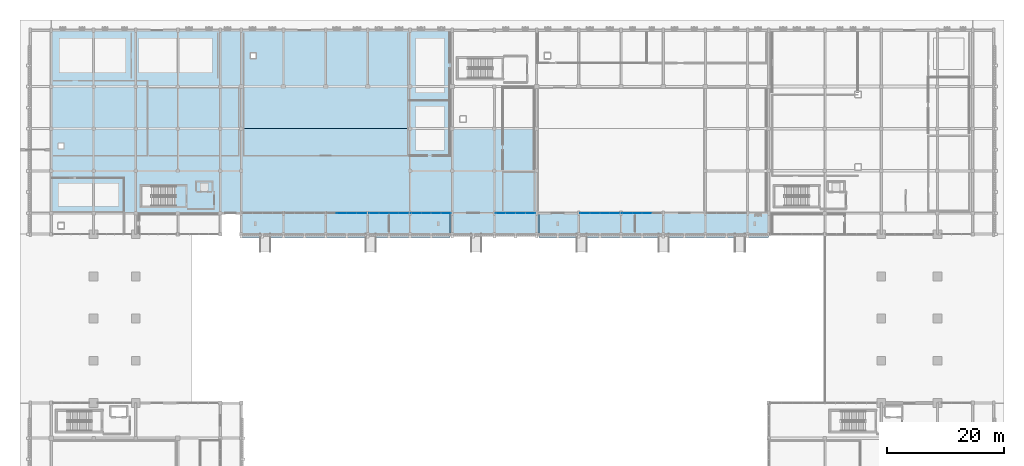
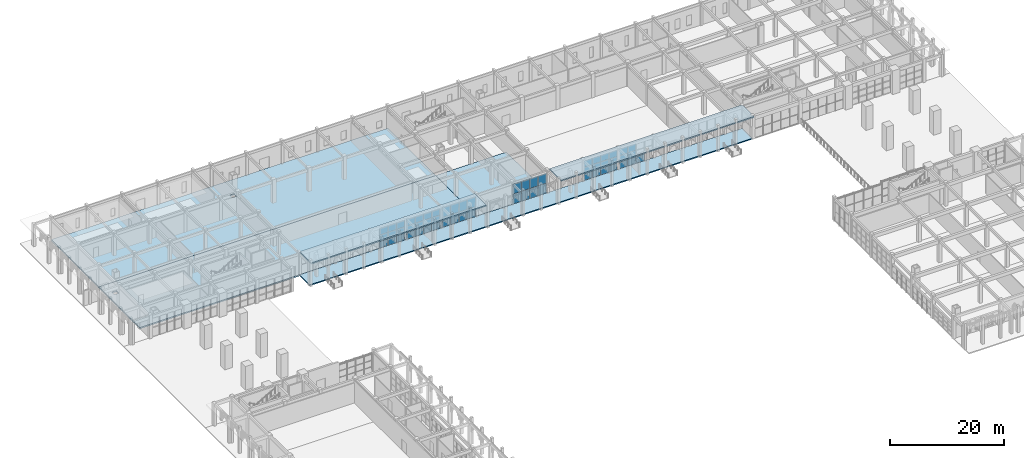
# One storey, part 30 of 72: 56 plates, 6 slabs, 6 elements without a shape of their own.
"""IFC4 building model written with IfcOpenShell, lengths in metres."""

from ifc_helpers import new_model, si_unit, direction, frame, origin, origin_2d, place, context, subcontext, project, spatial, polyline, rectangle, outline, extrude, material, layer, layer_set, type_object, element, aggregate, save


model = new_model("IFC4")

# Units and contexts
model_context = context("Model", 3, precision=1e-05, world=origin(), true_north=direction((0.0, 1.0)))
body_context = subcontext(model_context, "Body", "Model", "MODEL_VIEW")
ifc_project = project(units=[si_unit("LENGTHUNIT", "METRE"), si_unit("AREAUNIT", "SQUARE_METRE"), si_unit("VOLUMEUNIT", "CUBIC_METRE"), si_unit("PLANEANGLEUNIT", "RADIAN"), si_unit("MASSUNIT", "GRAM", prefix="KILO")], contexts=[model_context])

# Site, building, storey
site_placement = place(None, origin())
site = spatial("IfcSite", under=ifc_project, at=site_placement, CompositionType="ELEMENT")
building_placement = place(site_placement, origin())
building = spatial("IfcBuilding", under=site, at=building_placement, Name="Nzembalo Square Collegiate School", CompositionType="ELEMENT")
storey_placement = place(building_placement, origin())
storey = spatial("IfcBuildingStorey", under=building, at=storey_placement, Name="L00", CompositionType="ELEMENT", Elevation=0.0)

# Curtain wall, plates
ifc_material_1 = material(Name="Aluminium 6060-T66", Category="aluminium")
curtain_wall_type_1 = type_object("IfcCurtainWallType", Name="CW-05", PredefinedType="USERDEFINED", material=ifc_material_1)
curtain_wall_1_placement = place(storey_placement, origin())
curtain_wall_1 = element("IfcCurtainWall", 1, at=curtain_wall_1_placement, inside=storey, type_object=curtain_wall_type_1, Name="Curtain wall CW-05 cw:L00:028", ObjectType="LANCET", PredefinedType="USERDEFINED")
ifc_material_2 = material(Name="Laminated solar-control double glazing", Category="glass")
ifc_layer_1 = layer(ifc_material_2, 0.028076171875, Name="Laminated solar-control double glazing")
ifc_layer_set_1 = layer_set([ifc_layer_1], Name="Laminated solar-control double glazing")
plate_type_1 = type_object("IfcPlateType", Name="PN01", PredefinedType="CURTAIN_PANEL", material=ifc_layer_set_1)
plate_1_placement = place(storey_placement, frame((57.956787109375, 82.800048828125, 0.004150390625), z_axis=(0.0, 0.0, 1.0), x_axis=(1.0, 0.0, 0.0)))
plate_1 = element("IfcPlate", 2, at=plate_1_placement, type_object=plate_type_1, Name="PN01 glazed panel 1-2", PredefinedType="CURTAIN_PANEL", context=body_context, shape_type="SweptSolid", body=[
    extrude(rectangle(XDim=1.678466796875, YDim=0.028076171875, at=origin_2d()), origin(), (0.0, 0.0, 1.0), 1.419921875),
])
plate_2_placement = place(storey_placement, frame((59.643310546875, 82.800048828125, 0.004150390625), z_axis=(0.0, 0.0, 1.0), x_axis=(1.0, 0.0, 0.0)))
plate_2 = element("IfcPlate", 3, at=plate_2_placement, type_object=plate_type_1, Name="PN01 glazed panel 1-3", PredefinedType="CURTAIN_PANEL", context=body_context, shape_type="SweptSolid", body=[
    extrude(rectangle(XDim=1.678466796875, YDim=0.028076171875, at=origin_2d()), origin(), (0.0, 0.0, 1.0), 1.419921875),
])
plate_3_placement = place(storey_placement, frame((61.329833984375, 82.800048828125, 0.004150390625), z_axis=(0.0, 0.0, 1.0), x_axis=(1.0, 0.0, 0.0)))
plate_3 = element("IfcPlate", 4, at=plate_3_placement, type_object=plate_type_1, Name="PN01 glazed panel 1-4", PredefinedType="CURTAIN_PANEL", context=body_context, shape_type="SweptSolid", body=[
    extrude(rectangle(XDim=1.678466796875, YDim=0.028076171875, at=origin_2d()), origin(), (0.0, 0.0, 1.0), 1.419921875),
])
plate_4_placement = place(storey_placement, frame((57.956787109375, 82.800048828125, 1.43212890625), z_axis=(0.0, 0.0, 1.0), x_axis=(1.0, 0.0, 0.0)))
plate_4 = element("IfcPlate", 5, at=plate_4_placement, type_object=plate_type_1, Name="PN01 glazed panel 2-2", PredefinedType="CURTAIN_PANEL", context=body_context, shape_type="SweptSolid", body=[
    extrude(rectangle(XDim=1.678466796875, YDim=0.028076171875, at=origin_2d()), origin(), (0.0, 0.0, 1.0), 1.419921875),
])
plate_5_placement = place(storey_placement, frame((59.643310546875, 82.800048828125, 1.43212890625), z_axis=(0.0, 0.0, 1.0), x_axis=(1.0, 0.0, 0.0)))
plate_5 = element("IfcPlate", 6, at=plate_5_placement, type_object=plate_type_1, Name="PN01 glazed panel 2-3", PredefinedType="CURTAIN_PANEL", context=body_context, shape_type="SweptSolid", body=[
    extrude(rectangle(XDim=1.678466796875, YDim=0.028076171875, at=origin_2d()), origin(), (0.0, 0.0, 1.0), 1.419921875),
])
plate_6_placement = place(storey_placement, frame((61.329833984375, 82.800048828125, 1.43212890625), z_axis=(0.0, 0.0, 1.0), x_axis=(1.0, 0.0, 0.0)))
plate_6 = element("IfcPlate", 7, at=plate_6_placement, type_object=plate_type_1, Name="PN01 glazed panel 2-4", PredefinedType="CURTAIN_PANEL", context=body_context, shape_type="SweptSolid", body=[
    extrude(rectangle(XDim=1.678466796875, YDim=0.028076171875, at=origin_2d()), origin(), (0.0, 0.0, 1.0), 1.419921875),
])
plate_7_placement = place(storey_placement, frame((57.956787109375, 82.800048828125, 2.860107421875), z_axis=(0.0, 0.0, 1.0), x_axis=(1.0, 0.0, 0.0)))
plate_7 = element("IfcPlate", 8, at=plate_7_placement, type_object=plate_type_1, Name="PN01 glazed panel 3-2", PredefinedType="CURTAIN_PANEL", context=body_context, shape_type="SweptSolid", body=[
    extrude(rectangle(XDim=1.678466796875, YDim=0.028076171875, at=origin_2d()), origin(), (0.0, 0.0, 1.0), 1.419921875),
])
plate_8_placement = place(storey_placement, frame((59.643310546875, 82.800048828125, 2.860107421875), z_axis=(0.0, 0.0, 1.0), x_axis=(1.0, 0.0, 0.0)))
plate_8 = element("IfcPlate", 9, at=plate_8_placement, type_object=plate_type_1, Name="PN01 glazed panel 3-3", PredefinedType="CURTAIN_PANEL", context=body_context, shape_type="SweptSolid", body=[
    extrude(rectangle(XDim=1.678466796875, YDim=0.028076171875, at=origin_2d()), origin(), (0.0, 0.0, 1.0), 1.419921875),
])
plate_9_placement = place(storey_placement, frame((61.329833984375, 82.800048828125, 2.860107421875), z_axis=(0.0, 0.0, 1.0), x_axis=(1.0, 0.0, 0.0)))
plate_9 = element("IfcPlate", 10, at=plate_9_placement, type_object=plate_type_1, Name="PN01 glazed panel 3-4", PredefinedType="CURTAIN_PANEL", context=body_context, shape_type="SweptSolid", body=[
    extrude(rectangle(XDim=1.678466796875, YDim=0.028076171875, at=origin_2d()), origin(), (0.0, 0.0, 1.0), 1.419921875),
])
aggregate(curtain_wall_1, [plate_1, plate_2, plate_3, plate_4, plate_5, plate_6, plate_7, plate_8, plate_9])

ifc_material_3 = material(Name="Aluminium 6060-T66", Category="aluminium")
curtain_wall_type_2 = type_object("IfcCurtainWallType", Name="CW-01", PredefinedType="USERDEFINED", material=ifc_material_3)
curtain_wall_2_placement = place(storey_placement, origin())
curtain_wall_2 = element("IfcCurtainWall", 11, at=curtain_wall_2_placement, inside=storey, type_object=curtain_wall_type_2, Name="Curtain wall CW-01 cw:L00:032", ObjectType="UNITISED", PredefinedType="USERDEFINED")
plate_10_placement = place(storey_placement, frame((99.47021484375, 82.800048828125, 0.004150390625), z_axis=(0.0, 0.0, 1.0), x_axis=(1.0, 0.0, 0.0)))
plate_10 = element("IfcPlate", 12, at=plate_10_placement, type_object=plate_type_1, Name="PN01 glazed panel 1-1", PredefinedType="CURTAIN_PANEL", context=body_context, shape_type="SweptSolid", body=[
    extrude(rectangle(XDim=1.678466796875, YDim=0.028076171875, at=origin_2d()), origin(), (0.0, 0.0, 1.0), 1.419921875),
])
plate_11_placement = place(storey_placement, frame((101.15673828125, 82.800048828125, 0.004150390625), z_axis=(0.0, 0.0, 1.0), x_axis=(1.0, 0.0, 0.0)))
plate_11 = element("IfcPlate", 13, at=plate_11_placement, type_object=plate_type_1, Name="PN01 glazed panel 1-2", PredefinedType="CURTAIN_PANEL", context=body_context, shape_type="SweptSolid", body=[
    extrude(rectangle(XDim=1.678466796875, YDim=0.028076171875, at=origin_2d()), origin(), (0.0, 0.0, 1.0), 1.419921875),
])
plate_12_placement = place(storey_placement, frame((102.84326171875, 82.800048828125, 0.004150390625), z_axis=(0.0, 0.0, 1.0), x_axis=(1.0, 0.0, 0.0)))
plate_12 = element("IfcPlate", 14, at=plate_12_placement, type_object=plate_type_1, Name="PN01 glazed panel 1-3", PredefinedType="CURTAIN_PANEL", context=body_context, shape_type="SweptSolid", body=[
    extrude(rectangle(XDim=1.678466796875, YDim=0.028076171875, at=origin_2d()), origin(), (0.0, 0.0, 1.0), 1.419921875),
])
plate_13_placement = place(storey_placement, frame((104.52978515625, 82.800048828125, 0.004150390625), z_axis=(0.0, 0.0, 1.0), x_axis=(1.0, 0.0, 0.0)))
plate_13 = element("IfcPlate", 15, at=plate_13_placement, type_object=plate_type_1, Name="PN01 glazed panel 1-4", PredefinedType="CURTAIN_PANEL", context=body_context, shape_type="SweptSolid", body=[
    extrude(rectangle(XDim=1.678466796875, YDim=0.028076171875, at=origin_2d()), origin(), (0.0, 0.0, 1.0), 1.419921875),
])
plate_14_placement = place(storey_placement, frame((99.47021484375, 82.800048828125, 1.43212890625), z_axis=(0.0, 0.0, 1.0), x_axis=(1.0, 0.0, 0.0)))
plate_14 = element("IfcPlate", 16, at=plate_14_placement, type_object=plate_type_1, Name="PN01 glazed panel 2-1", PredefinedType="CURTAIN_PANEL", context=body_context, shape_type="SweptSolid", body=[
    extrude(rectangle(XDim=1.678466796875, YDim=0.028076171875, at=origin_2d()), origin(), (0.0, 0.0, 1.0), 1.419921875),
])
plate_15_placement = place(storey_placement, frame((101.15673828125, 82.800048828125, 1.43212890625), z_axis=(0.0, 0.0, 1.0), x_axis=(1.0, 0.0, 0.0)))
plate_15 = element("IfcPlate", 17, at=plate_15_placement, type_object=plate_type_1, Name="PN01 glazed panel 2-2", PredefinedType="CURTAIN_PANEL", context=body_context, shape_type="SweptSolid", body=[
    extrude(rectangle(XDim=1.678466796875, YDim=0.028076171875, at=origin_2d()), origin(), (0.0, 0.0, 1.0), 1.419921875),
])
plate_16_placement = place(storey_placement, frame((102.84326171875, 82.800048828125, 1.43212890625), z_axis=(0.0, 0.0, 1.0), x_axis=(1.0, 0.0, 0.0)))
plate_16 = element("IfcPlate", 18, at=plate_16_placement, type_object=plate_type_1, Name="PN01 glazed panel 2-3", PredefinedType="CURTAIN_PANEL", context=body_context, shape_type="SweptSolid", body=[
    extrude(rectangle(XDim=1.678466796875, YDim=0.028076171875, at=origin_2d()), origin(), (0.0, 0.0, 1.0), 1.419921875),
])
plate_17_placement = place(storey_placement, frame((104.52978515625, 82.800048828125, 1.43212890625), z_axis=(0.0, 0.0, 1.0), x_axis=(1.0, 0.0, 0.0)))
plate_17 = element("IfcPlate", 19, at=plate_17_placement, type_object=plate_type_1, Name="PN01 glazed panel 2-4", PredefinedType="CURTAIN_PANEL", context=body_context, shape_type="SweptSolid", body=[
    extrude(rectangle(XDim=1.678466796875, YDim=0.028076171875, at=origin_2d()), origin(), (0.0, 0.0, 1.0), 1.419921875),
])
plate_18_placement = place(storey_placement, frame((99.47021484375, 82.800048828125, 2.860107421875), z_axis=(0.0, 0.0, 1.0), x_axis=(1.0, 0.0, 0.0)))
plate_18 = element("IfcPlate", 20, at=plate_18_placement, type_object=plate_type_1, Name="PN01 glazed panel 3-1", PredefinedType="CURTAIN_PANEL", context=body_context, shape_type="SweptSolid", body=[
    extrude(rectangle(XDim=1.678466796875, YDim=0.028076171875, at=origin_2d()), origin(), (0.0, 0.0, 1.0), 1.419921875),
])
plate_19_placement = place(storey_placement, frame((101.15673828125, 82.800048828125, 2.860107421875), z_axis=(0.0, 0.0, 1.0), x_axis=(1.0, 0.0, 0.0)))
plate_19 = element("IfcPlate", 21, at=plate_19_placement, type_object=plate_type_1, Name="PN01 glazed panel 3-2", PredefinedType="CURTAIN_PANEL", context=body_context, shape_type="SweptSolid", body=[
    extrude(rectangle(XDim=1.678466796875, YDim=0.028076171875, at=origin_2d()), origin(), (0.0, 0.0, 1.0), 1.419921875),
])
plate_20_placement = place(storey_placement, frame((102.84326171875, 82.800048828125, 2.860107421875), z_axis=(0.0, 0.0, 1.0), x_axis=(1.0, 0.0, 0.0)))
plate_20 = element("IfcPlate", 22, at=plate_20_placement, type_object=plate_type_1, Name="PN01 glazed panel 3-3", PredefinedType="CURTAIN_PANEL", context=body_context, shape_type="SweptSolid", body=[
    extrude(rectangle(XDim=1.678466796875, YDim=0.028076171875, at=origin_2d()), origin(), (0.0, 0.0, 1.0), 1.419921875),
])
plate_21_placement = place(storey_placement, frame((104.52978515625, 82.800048828125, 2.860107421875), z_axis=(0.0, 0.0, 1.0), x_axis=(1.0, 0.0, 0.0)))
plate_21 = element("IfcPlate", 23, at=plate_21_placement, type_object=plate_type_1, Name="PN01 glazed panel 3-4", PredefinedType="CURTAIN_PANEL", context=body_context, shape_type="SweptSolid", body=[
    extrude(rectangle(XDim=1.678466796875, YDim=0.028076171875, at=origin_2d()), origin(), (0.0, 0.0, 1.0), 1.419921875),
])
aggregate(curtain_wall_2, [plate_10, plate_11, plate_12, plate_13, plate_14, plate_15, plate_16, plate_17, plate_18, plate_19, plate_20, plate_21])

ifc_material_4 = material(Name="Aluminium 6060-T66", Category="aluminium")
curtain_wall_type_3 = type_object("IfcCurtainWallType", Name="CW-02", PredefinedType="USERDEFINED", material=ifc_material_4)
curtain_wall_3_placement = place(storey_placement, origin())
curtain_wall_3 = element("IfcCurtainWall", 24, at=curtain_wall_3_placement, inside=storey, type_object=curtain_wall_type_3, Name="Curtain wall CW-02 cw:L00:033", ObjectType="UNITISED", PredefinedType="USERDEFINED")
plate_22_placement = place(storey_placement, frame((106.670166015625, 82.800048828125, 0.004150390625), z_axis=(0.0, 0.0, 1.0), x_axis=(1.0, 0.0, 0.0)))
plate_22 = element("IfcPlate", 25, at=plate_22_placement, type_object=plate_type_1, Name="PN01 glazed panel 1-1", PredefinedType="CURTAIN_PANEL", context=body_context, shape_type="SweptSolid", body=[
    extrude(rectangle(XDim=1.678466796875, YDim=0.028076171875, at=origin_2d()), origin(), (0.0, 0.0, 1.0), 1.419921875),
])
plate_23_placement = place(storey_placement, frame((108.356689453125, 82.800048828125, 0.004150390625), z_axis=(0.0, 0.0, 1.0), x_axis=(1.0, 0.0, 0.0)))
plate_23 = element("IfcPlate", 26, at=plate_23_placement, type_object=plate_type_1, Name="PN01 glazed panel 1-2", PredefinedType="CURTAIN_PANEL", context=body_context, shape_type="SweptSolid", body=[
    extrude(rectangle(XDim=1.678466796875, YDim=0.028076171875, at=origin_2d()), origin(), (0.0, 0.0, 1.0), 1.419921875),
])
plate_24_placement = place(storey_placement, frame((110.043212890625, 82.800048828125, 0.004150390625), z_axis=(0.0, 0.0, 1.0), x_axis=(1.0, 0.0, 0.0)))
plate_24 = element("IfcPlate", 27, at=plate_24_placement, type_object=plate_type_1, Name="PN01 glazed panel 1-3", PredefinedType="CURTAIN_PANEL", context=body_context, shape_type="SweptSolid", body=[
    extrude(rectangle(XDim=1.678466796875, YDim=0.028076171875, at=origin_2d()), origin(), (0.0, 0.0, 1.0), 1.419921875),
])
plate_25_placement = place(storey_placement, frame((106.670166015625, 82.800048828125, 1.43212890625), z_axis=(0.0, 0.0, 1.0), x_axis=(1.0, 0.0, 0.0)))
plate_25 = element("IfcPlate", 28, at=plate_25_placement, type_object=plate_type_1, Name="PN01 glazed panel 2-1", PredefinedType="CURTAIN_PANEL", context=body_context, shape_type="SweptSolid", body=[
    extrude(rectangle(XDim=1.678466796875, YDim=0.028076171875, at=origin_2d()), origin(), (0.0, 0.0, 1.0), 1.419921875),
])
plate_26_placement = place(storey_placement, frame((108.356689453125, 82.800048828125, 1.43212890625), z_axis=(0.0, 0.0, 1.0), x_axis=(1.0, 0.0, 0.0)))
plate_26 = element("IfcPlate", 29, at=plate_26_placement, type_object=plate_type_1, Name="PN01 glazed panel 2-2", PredefinedType="CURTAIN_PANEL", context=body_context, shape_type="SweptSolid", body=[
    extrude(rectangle(XDim=1.678466796875, YDim=0.028076171875, at=origin_2d()), origin(), (0.0, 0.0, 1.0), 1.419921875),
])
plate_27_placement = place(storey_placement, frame((106.670166015625, 82.800048828125, 2.860107421875), z_axis=(0.0, 0.0, 1.0), x_axis=(1.0, 0.0, 0.0)))
plate_27 = element("IfcPlate", 30, at=plate_27_placement, type_object=plate_type_1, Name="PN01 glazed panel 3-1", PredefinedType="CURTAIN_PANEL", context=body_context, shape_type="SweptSolid", body=[
    extrude(rectangle(XDim=1.678466796875, YDim=0.028076171875, at=origin_2d()), origin(), (0.0, 0.0, 1.0), 1.419921875),
])
plate_28_placement = place(storey_placement, frame((108.356689453125, 82.800048828125, 2.860107421875), z_axis=(0.0, 0.0, 1.0), x_axis=(1.0, 0.0, 0.0)))
plate_28 = element("IfcPlate", 31, at=plate_28_placement, type_object=plate_type_1, Name="PN01 glazed panel 3-2", PredefinedType="CURTAIN_PANEL", context=body_context, shape_type="SweptSolid", body=[
    extrude(rectangle(XDim=1.678466796875, YDim=0.028076171875, at=origin_2d()), origin(), (0.0, 0.0, 1.0), 1.419921875),
])
aggregate(curtain_wall_3, [plate_22, plate_23, plate_24, plate_25, plate_26, plate_27, plate_28])

ifc_material_5 = material(Name="Aluminium 6060-T66", Category="aluminium")
curtain_wall_type_4 = type_object("IfcCurtainWallType", Name="CW-06", PredefinedType="USERDEFINED", material=ifc_material_5)
curtain_wall_4_placement = place(storey_placement, origin())
curtain_wall_4 = element("IfcCurtainWall", 32, at=curtain_wall_4_placement, inside=storey, type_object=curtain_wall_type_4, Name="Curtain wall CW-06 cw:L00:029", ObjectType="LANCET", PredefinedType="USERDEFINED")
ifc_material_6 = material(Name="Acoustic laminated solar-control glazing", Category="glass")
ifc_layer_2 = layer(ifc_material_6, 0.031982421875, Name="Acoustic laminated solar-control glazing")
ifc_layer_set_2 = layer_set([ifc_layer_2], Name="Acoustic laminated solar-control glazing")
plate_type_2 = type_object("IfcPlateType", Name="PN02", PredefinedType="CURTAIN_PANEL", material=ifc_layer_set_2)
plate_29_placement = place(storey_placement, frame((63.47021484375, 82.800048828125, 0.004150390625), z_axis=(0.0, 0.0, 1.0), x_axis=(1.0, 0.0, 0.0)))
plate_29 = element("IfcPlate", 33, at=plate_29_placement, type_object=plate_type_2, Name="PN02 glazed panel 1-1", PredefinedType="CURTAIN_PANEL", context=body_context, shape_type="SweptSolid", body=[
    extrude(rectangle(XDim=1.678466796875, YDim=0.031982421875, at=origin_2d()), origin(), (0.0, 0.0, 1.0), 1.419921875),
])
plate_30_placement = place(storey_placement, frame((65.15673828125, 82.800048828125, 0.004150390625), z_axis=(0.0, 0.0, 1.0), x_axis=(1.0, 0.0, 0.0)))
plate_30 = element("IfcPlate", 34, at=plate_30_placement, type_object=plate_type_2, Name="PN02 glazed panel 1-2", PredefinedType="CURTAIN_PANEL", context=body_context, shape_type="SweptSolid", body=[
    extrude(rectangle(XDim=1.678466796875, YDim=0.031982421875, at=origin_2d()), origin(), (0.0, 0.0, 1.0), 1.419921875),
])
plate_31_placement = place(storey_placement, frame((66.84326171875, 82.800048828125, 0.004150390625), z_axis=(0.0, 0.0, 1.0), x_axis=(1.0, 0.0, 0.0)))
plate_31 = element("IfcPlate", 35, at=plate_31_placement, type_object=plate_type_2, Name="PN02 glazed panel 1-3", PredefinedType="CURTAIN_PANEL", context=body_context, shape_type="SweptSolid", body=[
    extrude(rectangle(XDim=1.678466796875, YDim=0.031982421875, at=origin_2d()), origin(), (0.0, 0.0, 1.0), 1.419921875),
])
plate_32_placement = place(storey_placement, frame((68.52978515625, 82.800048828125, 0.004150390625), z_axis=(0.0, 0.0, 1.0), x_axis=(1.0, 0.0, 0.0)))
plate_32 = element("IfcPlate", 36, at=plate_32_placement, type_object=plate_type_2, Name="PN02 glazed panel 1-4", PredefinedType="CURTAIN_PANEL", context=body_context, shape_type="SweptSolid", body=[
    extrude(rectangle(XDim=1.678466796875, YDim=0.031982421875, at=origin_2d()), origin(), (0.0, 0.0, 1.0), 1.419921875),
])
plate_33_placement = place(storey_placement, frame((63.47021484375, 82.800048828125, 1.43212890625), z_axis=(0.0, 0.0, 1.0), x_axis=(1.0, 0.0, 0.0)))
plate_33 = element("IfcPlate", 37, at=plate_33_placement, type_object=plate_type_2, Name="PN02 glazed panel 2-1", PredefinedType="CURTAIN_PANEL", context=body_context, shape_type="SweptSolid", body=[
    extrude(rectangle(XDim=1.678466796875, YDim=0.031982421875, at=origin_2d()), origin(), (0.0, 0.0, 1.0), 1.419921875),
])
plate_34_placement = place(storey_placement, frame((65.15673828125, 82.800048828125, 1.43212890625), z_axis=(0.0, 0.0, 1.0), x_axis=(1.0, 0.0, 0.0)))
plate_34 = element("IfcPlate", 38, at=plate_34_placement, type_object=plate_type_2, Name="PN02 glazed panel 2-2", PredefinedType="CURTAIN_PANEL", context=body_context, shape_type="SweptSolid", body=[
    extrude(rectangle(XDim=1.678466796875, YDim=0.031982421875, at=origin_2d()), origin(), (0.0, 0.0, 1.0), 1.419921875),
])
plate_35_placement = place(storey_placement, frame((66.84326171875, 82.800048828125, 1.43212890625), z_axis=(0.0, 0.0, 1.0), x_axis=(1.0, 0.0, 0.0)))
plate_35 = element("IfcPlate", 39, at=plate_35_placement, type_object=plate_type_2, Name="PN02 glazed panel 2-3", PredefinedType="CURTAIN_PANEL", context=body_context, shape_type="SweptSolid", body=[
    extrude(rectangle(XDim=1.678466796875, YDim=0.031982421875, at=origin_2d()), origin(), (0.0, 0.0, 1.0), 1.419921875),
])
plate_36_placement = place(storey_placement, frame((68.52978515625, 82.800048828125, 1.43212890625), z_axis=(0.0, 0.0, 1.0), x_axis=(1.0, 0.0, 0.0)))
plate_36 = element("IfcPlate", 40, at=plate_36_placement, type_object=plate_type_2, Name="PN02 glazed panel 2-4", PredefinedType="CURTAIN_PANEL", context=body_context, shape_type="SweptSolid", body=[
    extrude(rectangle(XDim=1.678466796875, YDim=0.031982421875, at=origin_2d()), origin(), (0.0, 0.0, 1.0), 1.419921875),
])
plate_37_placement = place(storey_placement, frame((63.47021484375, 82.800048828125, 2.860107421875), z_axis=(0.0, 0.0, 1.0), x_axis=(1.0, 0.0, 0.0)))
plate_37 = element("IfcPlate", 41, at=plate_37_placement, type_object=plate_type_2, Name="PN02 glazed panel 3-1", PredefinedType="CURTAIN_PANEL", context=body_context, shape_type="SweptSolid", body=[
    extrude(rectangle(XDim=1.678466796875, YDim=0.031982421875, at=origin_2d()), origin(), (0.0, 0.0, 1.0), 1.419921875),
])
plate_38_placement = place(storey_placement, frame((65.15673828125, 82.800048828125, 2.860107421875), z_axis=(0.0, 0.0, 1.0), x_axis=(1.0, 0.0, 0.0)))
plate_38 = element("IfcPlate", 42, at=plate_38_placement, type_object=plate_type_2, Name="PN02 glazed panel 3-2", PredefinedType="CURTAIN_PANEL", context=body_context, shape_type="SweptSolid", body=[
    extrude(rectangle(XDim=1.678466796875, YDim=0.031982421875, at=origin_2d()), origin(), (0.0, 0.0, 1.0), 1.419921875),
])
plate_39_placement = place(storey_placement, frame((66.84326171875, 82.800048828125, 2.860107421875), z_axis=(0.0, 0.0, 1.0), x_axis=(1.0, 0.0, 0.0)))
plate_39 = element("IfcPlate", 43, at=plate_39_placement, type_object=plate_type_2, Name="PN02 glazed panel 3-3", PredefinedType="CURTAIN_PANEL", context=body_context, shape_type="SweptSolid", body=[
    extrude(rectangle(XDim=1.678466796875, YDim=0.031982421875, at=origin_2d()), origin(), (0.0, 0.0, 1.0), 1.419921875),
])
plate_40_placement = place(storey_placement, frame((68.52978515625, 82.800048828125, 2.860107421875), z_axis=(0.0, 0.0, 1.0), x_axis=(1.0, 0.0, 0.0)))
plate_40 = element("IfcPlate", 44, at=plate_40_placement, type_object=plate_type_2, Name="PN02 glazed panel 3-4", PredefinedType="CURTAIN_PANEL", context=body_context, shape_type="SweptSolid", body=[
    extrude(rectangle(XDim=1.678466796875, YDim=0.031982421875, at=origin_2d()), origin(), (0.0, 0.0, 1.0), 1.419921875),
])
aggregate(curtain_wall_4, [plate_29, plate_30, plate_31, plate_32, plate_33, plate_34, plate_35, plate_36, plate_37, plate_38, plate_39, plate_40])

ifc_material_7 = material(Name="Aluminium 6060-T66", Category="aluminium")
curtain_wall_type_5 = type_object("IfcCurtainWallType", Name="CW-07", PredefinedType="USERDEFINED", material=ifc_material_7)
curtain_wall_5_placement = place(storey_placement, origin())
curtain_wall_5 = element("IfcCurtainWall", 45, at=curtain_wall_5_placement, inside=storey, type_object=curtain_wall_type_5, Name="Curtain wall CW-07 cw:L00:030", ObjectType="LANCET", PredefinedType="USERDEFINED")
plate_41_placement = place(storey_placement, frame((70.670166015625, 82.800048828125, 0.00390625), z_axis=(0.0, 0.0, 1.0), x_axis=(1.0, 0.0, 0.0)))
plate_41 = element("IfcPlate", 46, at=plate_41_placement, type_object=plate_type_2, Name="PN02 glazed panel 1-1", PredefinedType="CURTAIN_PANEL", context=body_context, shape_type="SweptSolid", body=[
    extrude(rectangle(XDim=1.678466796875, YDim=0.031982421875, at=origin_2d()), origin(), (0.0, 0.0, 1.0), 2.134033203125),
])
plate_42_placement = place(storey_placement, frame((72.356689453125, 82.800048828125, 0.00390625), z_axis=(0.0, 0.0, 1.0), x_axis=(1.0, 0.0, 0.0)))
plate_42 = element("IfcPlate", 47, at=plate_42_placement, type_object=plate_type_2, Name="PN02 glazed panel 1-2", PredefinedType="CURTAIN_PANEL", context=body_context, shape_type="SweptSolid", body=[
    extrude(rectangle(XDim=1.678466796875, YDim=0.031982421875, at=origin_2d()), origin(), (0.0, 0.0, 1.0), 2.134033203125),
])
plate_43_placement = place(storey_placement, frame((74.043212890625, 82.800048828125, 0.00390625), z_axis=(0.0, 0.0, 1.0), x_axis=(1.0, 0.0, 0.0)))
plate_43 = element("IfcPlate", 48, at=plate_43_placement, type_object=plate_type_2, Name="PN02 glazed panel 1-3", PredefinedType="CURTAIN_PANEL", context=body_context, shape_type="SweptSolid", body=[
    extrude(rectangle(XDim=1.678466796875, YDim=0.031982421875, at=origin_2d()), origin(), (0.0, 0.0, 1.0), 2.134033203125),
])
plate_44_placement = place(storey_placement, frame((75.729736328125, 82.800048828125, 0.00390625), z_axis=(0.0, 0.0, 1.0), x_axis=(1.0, 0.0, 0.0)))
plate_44 = element("IfcPlate", 49, at=plate_44_placement, type_object=plate_type_2, Name="PN02 glazed panel 1-4", PredefinedType="CURTAIN_PANEL", context=body_context, shape_type="SweptSolid", body=[
    extrude(rectangle(XDim=1.678466796875, YDim=0.031982421875, at=origin_2d()), origin(), (0.0, 0.0, 1.0), 2.134033203125),
])
plate_45_placement = place(storey_placement, frame((70.670166015625, 82.800048828125, 2.14599609375), z_axis=(0.0, 0.0, 1.0), x_axis=(1.0, 0.0, 0.0)))
plate_45 = element("IfcPlate", 50, at=plate_45_placement, type_object=plate_type_2, Name="PN02 glazed panel 2-1", PredefinedType="CURTAIN_PANEL", context=body_context, shape_type="SweptSolid", body=[
    extrude(rectangle(XDim=1.678466796875, YDim=0.031982421875, at=origin_2d()), origin(), (0.0, 0.0, 1.0), 2.134033203125),
])
plate_46_placement = place(storey_placement, frame((72.356689453125, 82.800048828125, 2.14599609375), z_axis=(0.0, 0.0, 1.0), x_axis=(1.0, 0.0, 0.0)))
plate_46 = element("IfcPlate", 51, at=plate_46_placement, type_object=plate_type_2, Name="PN02 glazed panel 2-2", PredefinedType="CURTAIN_PANEL", context=body_context, shape_type="SweptSolid", body=[
    extrude(rectangle(XDim=1.678466796875, YDim=0.031982421875, at=origin_2d()), origin(), (0.0, 0.0, 1.0), 2.134033203125),
])
plate_47_placement = place(storey_placement, frame((74.043212890625, 82.800048828125, 2.14599609375), z_axis=(0.0, 0.0, 1.0), x_axis=(1.0, 0.0, 0.0)))
plate_47 = element("IfcPlate", 52, at=plate_47_placement, type_object=plate_type_2, Name="PN02 glazed panel 2-3", PredefinedType="CURTAIN_PANEL", context=body_context, shape_type="SweptSolid", body=[
    extrude(rectangle(XDim=1.678466796875, YDim=0.031982421875, at=origin_2d()), origin(), (0.0, 0.0, 1.0), 2.134033203125),
])
plate_48_placement = place(storey_placement, frame((75.729736328125, 82.800048828125, 2.14599609375), z_axis=(0.0, 0.0, 1.0), x_axis=(1.0, 0.0, 0.0)))
plate_48 = element("IfcPlate", 53, at=plate_48_placement, type_object=plate_type_2, Name="PN02 glazed panel 2-4", PredefinedType="CURTAIN_PANEL", context=body_context, shape_type="SweptSolid", body=[
    extrude(rectangle(XDim=1.678466796875, YDim=0.031982421875, at=origin_2d()), origin(), (0.0, 0.0, 1.0), 2.134033203125),
])
aggregate(curtain_wall_5, [plate_41, plate_42, plate_43, plate_44, plate_45, plate_46, plate_47, plate_48])

ifc_material_8 = material(Name="Aluminium 6060-T66", Category="aluminium")
curtain_wall_type_6 = type_object("IfcCurtainWallType", Name="CW-08", PredefinedType="USERDEFINED", material=ifc_material_8)
curtain_wall_6_placement = place(storey_placement, origin())
curtain_wall_6 = element("IfcCurtainWall", 54, at=curtain_wall_6_placement, inside=storey, type_object=curtain_wall_type_6, Name="Curtain wall CW-08 cw:L00:031", ObjectType="LANCET", PredefinedType="USERDEFINED")
plate_49_placement = place(storey_placement, frame((85.0703125, 82.800048828125, 0.00390625), z_axis=(0.0, 0.0, 1.0), x_axis=(1.0, 0.0, 0.0)))
plate_49 = element("IfcPlate", 55, at=plate_49_placement, type_object=plate_type_2, Name="PN02 glazed panel 1-1", PredefinedType="CURTAIN_PANEL", context=body_context, shape_type="SweptSolid", body=[
    extrude(rectangle(XDim=1.678466796875, YDim=0.031982421875, at=origin_2d()), origin(), (0.0, 0.0, 1.0), 2.134033203125),
])
plate_50_placement = place(storey_placement, frame((86.7568359375, 82.800048828125, 0.00390625), z_axis=(0.0, 0.0, 1.0), x_axis=(1.0, 0.0, 0.0)))
plate_50 = element("IfcPlate", 56, at=plate_50_placement, type_object=plate_type_2, Name="PN02 glazed panel 1-2", PredefinedType="CURTAIN_PANEL", context=body_context, shape_type="SweptSolid", body=[
    extrude(rectangle(XDim=1.678466796875, YDim=0.031982421875, at=origin_2d()), origin(), (0.0, 0.0, 1.0), 2.134033203125),
])
plate_51_placement = place(storey_placement, frame((88.443359375, 82.800048828125, 0.00390625), z_axis=(0.0, 0.0, 1.0), x_axis=(1.0, 0.0, 0.0)))
plate_51 = element("IfcPlate", 57, at=plate_51_placement, type_object=plate_type_2, Name="PN02 glazed panel 1-3", PredefinedType="CURTAIN_PANEL", context=body_context, shape_type="SweptSolid", body=[
    extrude(rectangle(XDim=1.678466796875, YDim=0.031982421875, at=origin_2d()), origin(), (0.0, 0.0, 1.0), 2.134033203125),
])
plate_52_placement = place(storey_placement, frame((90.129638671875, 82.800048828125, 0.00390625), z_axis=(0.0, 0.0, 1.0), x_axis=(1.0, 0.0, 0.0)))
plate_52 = element("IfcPlate", 58, at=plate_52_placement, type_object=plate_type_2, Name="PN02 glazed panel 1-4", PredefinedType="CURTAIN_PANEL", context=body_context, shape_type="SweptSolid", body=[
    extrude(rectangle(XDim=1.678466796875, YDim=0.031982421875, at=origin_2d()), origin(), (0.0, 0.0, 1.0), 2.134033203125),
])
plate_53_placement = place(storey_placement, frame((85.0703125, 82.800048828125, 2.14599609375), z_axis=(0.0, 0.0, 1.0), x_axis=(1.0, 0.0, 0.0)))
plate_53 = element("IfcPlate", 59, at=plate_53_placement, type_object=plate_type_2, Name="PN02 glazed panel 2-1", PredefinedType="CURTAIN_PANEL", context=body_context, shape_type="SweptSolid", body=[
    extrude(rectangle(XDim=1.678466796875, YDim=0.031982421875, at=origin_2d()), origin(), (0.0, 0.0, 1.0), 2.134033203125),
])
plate_54_placement = place(storey_placement, frame((86.7568359375, 82.800048828125, 2.14599609375), z_axis=(0.0, 0.0, 1.0), x_axis=(1.0, 0.0, 0.0)))
plate_54 = element("IfcPlate", 60, at=plate_54_placement, type_object=plate_type_2, Name="PN02 glazed panel 2-2", PredefinedType="CURTAIN_PANEL", context=body_context, shape_type="SweptSolid", body=[
    extrude(rectangle(XDim=1.678466796875, YDim=0.031982421875, at=origin_2d()), origin(), (0.0, 0.0, 1.0), 2.134033203125),
])
plate_55_placement = place(storey_placement, frame((88.443359375, 82.800048828125, 2.14599609375), z_axis=(0.0, 0.0, 1.0), x_axis=(1.0, 0.0, 0.0)))
plate_55 = element("IfcPlate", 61, at=plate_55_placement, type_object=plate_type_2, Name="PN02 glazed panel 2-3", PredefinedType="CURTAIN_PANEL", context=body_context, shape_type="SweptSolid", body=[
    extrude(rectangle(XDim=1.678466796875, YDim=0.031982421875, at=origin_2d()), origin(), (0.0, 0.0, 1.0), 2.134033203125),
])
plate_56_placement = place(storey_placement, frame((90.129638671875, 82.800048828125, 2.14599609375), z_axis=(0.0, 0.0, 1.0), x_axis=(1.0, 0.0, 0.0)))
plate_56 = element("IfcPlate", 62, at=plate_56_placement, type_object=plate_type_2, Name="PN02 glazed panel 2-4", PredefinedType="CURTAIN_PANEL", context=body_context, shape_type="SweptSolid", body=[
    extrude(rectangle(XDim=1.678466796875, YDim=0.031982421875, at=origin_2d()), origin(), (0.0, 0.0, 1.0), 2.134033203125),
])
aggregate(curtain_wall_6, [plate_49, plate_50, plate_51, plate_52, plate_53, plate_54, plate_55, plate_56])

# Slabs
ifc_material_9 = material(Name="CLT CL24", Category="wood")
ifc_layer_3 = layer(ifc_material_9, 0.27001953125, Name="CLT CL24")
ifc_layer_set_3 = layer_set([ifc_layer_3], Name="CLT CL24")
slab_type_1 = type_object("IfcSlabType", Name="RS-F27", PredefinedType="ROOF", material=ifc_layer_set_3)
slab_1_placement = place(storey_placement, frame((0.0, 0.0, 4.800048828125)))
element("IfcSlab", 63, at=slab_1_placement, inside=storey, type_object=slab_type_1, Name="Step roof slab RS-ARC-CNW", PredefinedType="ROOF", context=body_context, shape_type="SweptSolid", body=[
    extrude(outline(polyline([(40.800048828125, 78.60009765625), (76.39990234375, 78.60009765625), (76.39990234375, 82.739990234375), (40.800048828125, 82.739990234375), (40.800048828125, 78.60009765625)])), origin(), (0.0, 0.0, 1.0), 0.27001953125),
])
slab_2_placement = place(storey_placement, frame((0.0, 0.0, 4.800048828125)))
element("IfcSlab", 64, at=slab_2_placement, inside=storey, type_object=slab_type_1, Name="Step roof slab RS-ARC-CNE", PredefinedType="ROOF", context=body_context, shape_type="SweptSolid", body=[
    extrude(outline(polyline([(91.60009765625, 78.60009765625), (130.800048828125, 78.60009765625), (130.800048828125, 82.739990234375), (91.60009765625, 82.739990234375), (91.60009765625, 78.60009765625)])), origin(), (0.0, 0.0, 1.0), 0.27001953125),
])
ifc_material_10 = material(Name="Concrete C35/45", Category="concrete")
ifc_layer_4 = layer(ifc_material_10, 0.219970703125, Name="Concrete C35/45")
ifc_layer_set_4 = layer_set([ifc_layer_4], Name="Concrete C35/45")
slab_type_2 = type_object("IfcSlabType", Name="SL-00E", PredefinedType="FLOOR", material=ifc_layer_set_4)
slab_3_placement = place(storey_placement, frame((0.0, 0.0, -0.219970703125)))
element("IfcSlab", 65, at=slab_3_placement, inside=storey, type_object=slab_type_2, Name="Slab SL-L00-28", PredefinedType="FLOOR", context=body_context, shape_type="SweptSolid", body=[
    extrude(outline(polyline([(40.800048828125, 79.199951171875), (130.800048828125, 79.199951171875), (130.800048828125, 82.800048828125), (40.800048828125, 82.800048828125), (40.800048828125, 79.199951171875)])), origin(), (0.0, 0.0, 1.0), 0.219970703125),
])
ifc_material_11 = material(Name="Concrete C35/45", Category="concrete")
ifc_layer_5 = layer(ifc_material_11, 0.280029296875, Name="Concrete C35/45")
ifc_layer_set_5 = layer_set([ifc_layer_5], Name="Concrete C35/45")
slab_type_3 = type_object("IfcSlabType", Name="SL-00", PredefinedType="FLOOR", material=ifc_layer_set_5)
slab_4_placement = place(storey_placement, frame((0.0, 0.0, -0.280029296875)))
element("IfcSlab", 66, at=slab_4_placement, inside=storey, type_object=slab_type_3, Name="Slab SL-L00-10", PredefinedType="FLOOR", context=body_context, shape_type="SweptSolid", body=[
    extrude(outline(polyline([(8.39990234375, 82.800048828125), (76.800048828125, 82.800048828125), (76.800048828125, 97.199951171875), (8.39990234375, 97.199951171875), (8.39990234375, 82.800048828125)]), holes=[polyline([(9.60009765625, 93.800048828125), (10.5, 93.800048828125), (10.5, 94.699951171875), (9.60009765625, 94.699951171875), (9.60009765625, 93.800048828125)])]), origin(), (0.0, 0.0, 1.0), 0.280029296875),
])
slab_5_placement = place(storey_placement, frame((0.0, 0.0, -0.280029296875)))
element("IfcSlab", 67, at=slab_5_placement, inside=storey, type_object=slab_type_3, Name="Slab SL-L00-11", PredefinedType="FLOOR", context=body_context, shape_type="SweptSolid", body=[
    extrude(outline(polyline([(8.39990234375, 97.199951171875), (76.800048828125, 97.199951171875), (76.800048828125, 114.0), (8.39990234375, 114.0), (8.39990234375, 97.199951171875)]), holes=[polyline([(42.39990234375, 109.199951171875), (43.300048828125, 109.199951171875), (43.300048828125, 110.10009765625), (42.39990234375, 110.10009765625), (42.39990234375, 109.199951171875)])]), origin(), (0.0, 0.0, 1.0), 0.280029296875),
])
slab_6_placement = place(storey_placement, frame((0.0, 0.0, -0.280029296875)))
element("IfcSlab", 68, at=slab_6_placement, inside=storey, type_object=slab_type_3, Name="Slab SL-L00-12", PredefinedType="FLOOR", context=body_context, shape_type="SweptSolid", body=[
    extrude(outline(polyline([(76.800048828125, 82.800048828125), (91.199951171875, 82.800048828125), (91.199951171875, 97.199951171875), (76.800048828125, 97.199951171875), (76.800048828125, 82.800048828125)])), origin(), (0.0, 0.0, 1.0), 0.280029296875),
])

save(model, "model.ifc")
